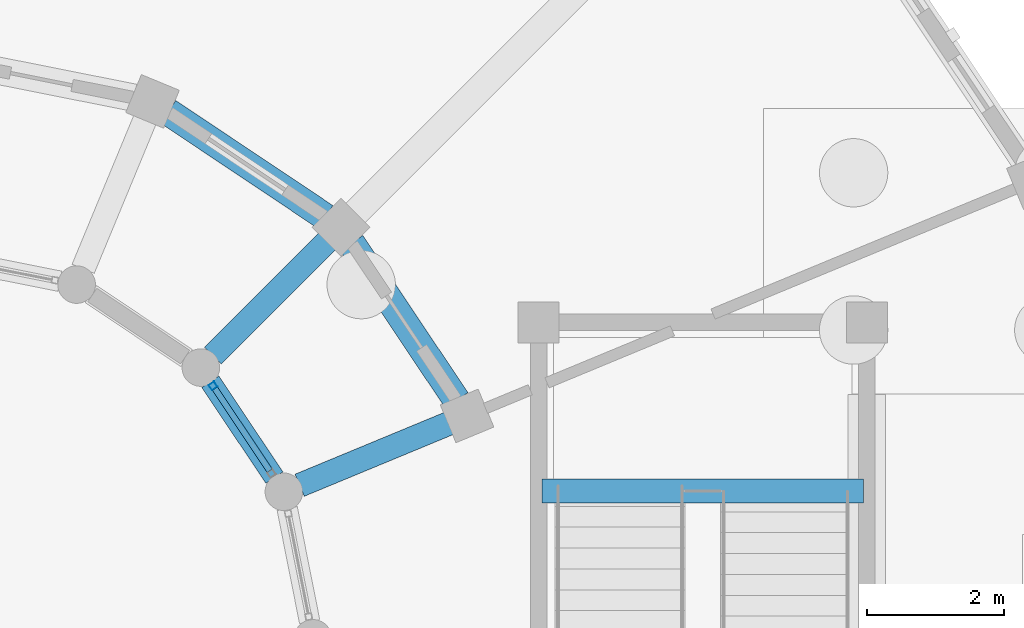
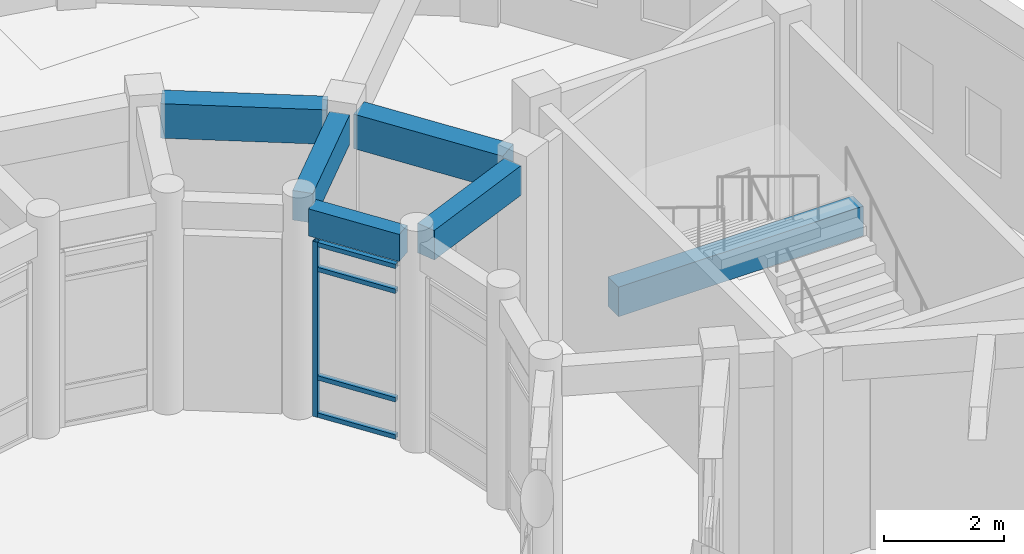
# One storey, part 75 of 153: 6 beams, 5 members, 1 element without a shape of its own.
"""IFC4 building model written with IfcOpenShell, lengths in metres."""

from ifc_helpers import new_model, si_unit, direction, frame, origin, origin_2d, place, context, subcontext, project, spatial, rectangle, hollow_rectangle, extrude, material, material_profile, profile_set, type_object, element, aggregate, save


model = new_model("IFC4")

# Units and contexts
model_context = context("Model", 3, precision=1e-05, world=origin(), true_north=direction((0.0, 1.0)))
body_context = subcontext(model_context, "Body", "Model", "MODEL_VIEW")
ifc_project = project(units=[si_unit("LENGTHUNIT", "METRE"), si_unit("AREAUNIT", "SQUARE_METRE"), si_unit("VOLUMEUNIT", "CUBIC_METRE"), si_unit("PLANEANGLEUNIT", "RADIAN"), si_unit("MASSUNIT", "GRAM", prefix="KILO")], contexts=[model_context])

# Site, building, storey
site_placement = place(None, origin())
site = spatial("IfcSite", under=ifc_project, at=site_placement, CompositionType="ELEMENT")
building_placement = place(site_placement, origin())
building = spatial("IfcBuilding", under=site, at=building_placement, Name="Celadon Cloister-Ring School", CompositionType="ELEMENT")
storey_placement = place(building_placement, origin())
storey = spatial("IfcBuildingStorey", under=building, at=storey_placement, Name="L00", CompositionType="ELEMENT", Elevation=0.0)

# Beams
ifc_material_1 = material(Name="Concrete C35/45", Category="concrete")
ifc_material_profile_1 = material_profile(ifc_material_1, rectangle(XDim=0.35009765625, YDim=0.60009765625, at=origin_2d()), Name="RC350X600")
ifc_profile_set_1 = profile_set([ifc_material_profile_1], Name="Concrete C35/45")
beam_type_1 = type_object("IfcBeamType", Name="BT-02", PredefinedType="BEAM", material=ifc_profile_set_1)
beam_1_placement = place(storey_placement, frame((27.799072265625, 100.14794921875, 3.9599609375), z_axis=(-0.923862714127, -0.382724033014, 0.0), x_axis=(0.382724033014, -0.923862714127, 0.0)))
element("IfcBeam", 1, at=beam_1_placement, inside=storey, type_object=beam_type_1, Name="Beam 0591", PredefinedType="BEAM", context=body_context, shape_type="SweptSolid", body=[
    extrude(rectangle(XDim=0.35009765625, YDim=0.60009765625, at=origin_2d()), origin(), (0.0, 0.0, 1.0), 2.375),
])
beam_2_placement = place(storey_placement, frame((26.01611328125, 102.81591796875, 3.9599609375), z_axis=(-0.707158186572, -0.707055372064, 0.0), x_axis=(0.707055372064, -0.707158186572, 0.0)))
element("IfcBeam", 2, at=beam_2_placement, inside=storey, type_object=beam_type_1, Name="Beam 0593", PredefinedType="BEAM", context=body_context, shape_type="SweptSolid", body=[
    extrude(rectangle(XDim=0.35009765625, YDim=0.60009765625, at=origin_2d()), origin(), (0.0, 0.0, 1.0), 2.37451171875),
])
beam_3_placement = place(storey_placement, frame((29.14990234375, 99.155029296875, 1.64990234375), z_axis=(1.0, 0.0, 0.0), x_axis=(0.0, 1.0, 0.0)))
element("IfcBeam", 3, at=beam_3_placement, inside=storey, type_object=beam_type_1, Name="Stair Landing Beam 1740", PredefinedType="BEAM", context=body_context, shape_type="SweptSolid", body=[
    extrude(rectangle(XDim=0.35009765625, YDim=0.60009765625, at=origin_2d()), origin(), (0.0, 0.0, 1.0), 4.7001953125),
])

# Curtain wall, members
ifc_material_2 = material(Name="Aluminium EN AW-6063 T6", Category="aluminium")
curtain_wall_type = type_object("IfcCurtainWallType", Name="CW-03", PredefinedType="USERDEFINED", material=ifc_material_2)
curtain_wall_placement = place(storey_placement, origin())
curtain_wall = element("IfcCurtainWall", 4, at=curtain_wall_placement, inside=storey, type_object=curtain_wall_type, Name="Curtain Wall 0080", ObjectType="CURTAIN WALL", PredefinedType="USERDEFINED")
ifc_material_3 = material(Name="Aluminium EN AW-6063 T6", Category="aluminium")
ifc_material_profile_2 = material_profile(ifc_material_3, hollow_rectangle(XDim=0.094970703125, YDim=0.094970703125, WallThickness=0.00390625, at=origin_2d()), Name="RHS95X95X4")
ifc_profile_set_2 = profile_set([ifc_material_profile_2], Name="Aluminium EN AW-6063 T6")
member_type_1 = type_object("IfcMemberType", Name="CM-02", PredefinedType="MULLION", material=ifc_profile_set_2)
member_1_placement = place(storey_placement, frame((24.33935546875, 100.69140625, 0.0), z_axis=(0.0, 0.0, 1.0), x_axis=(-0.831485091394, -0.555547066224, 0.0)))
member_1 = element("IfcMember", 5, at=member_1_placement, type_object=member_type_1, Name="CW-03 mullion 2", PredefinedType="MULLION", context=body_context, shape_type="SweptSolid", body=[
    extrude(hollow_rectangle(XDim=0.094970703125, YDim=0.094970703125, WallThickness=0.00390625, at=origin_2d()), origin(), (0.0, 0.0, 1.0), 3.550048828125),
])
ifc_material_4 = material(Name="Aluminium EN AW-6063 T6", Category="aluminium")
ifc_material_profile_3 = material_profile(ifc_material_4, hollow_rectangle(XDim=0.090087890625, YDim=0.090087890625, WallThickness=0.00390625, at=origin_2d()), Name="RHS90X90X4")
ifc_profile_set_3 = profile_set([ifc_material_profile_3], Name="Aluminium EN AW-6063 T6")
member_type_2 = type_object("IfcMemberType", Name="CTM-02", PredefinedType="USERDEFINED", material=ifc_profile_set_3)
member_2_placement = place(storey_placement, frame((25.168212890625, 99.450927734375, 0.044921875), z_axis=(-0.555518951009, 0.831503875559, 0.0), x_axis=(-0.831503875559, -0.555518951009, 0.0)))
member_2 = element("IfcMember", 6, at=member_2_placement, type_object=member_type_2, Name="CW-03 transom 1.1", ObjectType="TRANSOM", PredefinedType="USERDEFINED", context=body_context, shape_type="SweptSolid", body=[
    extrude(hollow_rectangle(XDim=0.090087890625, YDim=0.090087890625, WallThickness=0.00390625, at=origin_2d()), origin(), (0.0, 0.0, 1.0), 1.444580078125),
])
member_3_placement = place(storey_placement, frame((25.168212890625, 99.450927734375, 0.800048828125), z_axis=(-0.555518951009, 0.831503875559, 0.0), x_axis=(-0.831503875559, -0.555518951009, 0.0)))
member_3 = element("IfcMember", 7, at=member_3_placement, type_object=member_type_2, Name="CW-03 transom 1.2", ObjectType="TRANSOM", PredefinedType="USERDEFINED", context=body_context, shape_type="SweptSolid", body=[
    extrude(hollow_rectangle(XDim=0.090087890625, YDim=0.090087890625, WallThickness=0.00390625, at=origin_2d()), origin(), (0.0, 0.0, 1.0), 1.444580078125),
])
member_4_placement = place(storey_placement, frame((25.168212890625, 99.450927734375, 3.0), z_axis=(-0.555518951009, 0.831503875559, 0.0), x_axis=(-0.831503875559, -0.555518951009, 0.0)))
member_4 = element("IfcMember", 8, at=member_4_placement, type_object=member_type_2, Name="CW-03 transom 1.3", ObjectType="TRANSOM", PredefinedType="USERDEFINED", context=body_context, shape_type="SweptSolid", body=[
    extrude(hollow_rectangle(XDim=0.090087890625, YDim=0.090087890625, WallThickness=0.00390625, at=origin_2d()), origin(), (0.0, 0.0, 1.0), 1.444580078125),
])
member_5_placement = place(storey_placement, frame((25.168212890625, 99.450927734375, 3.5048828125), z_axis=(-0.555518951009, 0.831503875559, 0.0), x_axis=(-0.831503875559, -0.555518951009, 0.0)))
member_5 = element("IfcMember", 9, at=member_5_placement, type_object=member_type_2, Name="CW-03 transom 1.4", ObjectType="TRANSOM", PredefinedType="USERDEFINED", context=body_context, shape_type="SweptSolid", body=[
    extrude(hollow_rectangle(XDim=0.090087890625, YDim=0.090087890625, WallThickness=0.00390625, at=origin_2d()), origin(), (0.0, 0.0, 1.0), 1.444580078125),
])
aggregate(curtain_wall, [member_1, member_2, member_3, member_4, member_5])

# Beams
ifc_material_5 = material(Name="Concrete C35/45", Category="concrete")
ifc_material_profile_4 = material_profile(ifc_material_5, rectangle(XDim=0.39990234375, YDim=0.699951171875, at=origin_2d()), Name="RC400X700")
ifc_profile_set_4 = profile_set([ifc_material_profile_4], Name="Concrete C35/45")
beam_type_2 = type_object("IfcBeamType", Name="GT-03", PredefinedType="USERDEFINED", material=ifc_profile_set_4)
for number, where, z_axis, x_axis, name in (
    (10, (27.89990234375, 100.48193359375, 3.909912109375), (-0.555738781682, 0.831356966973, 0.0), (-0.831356966973, -0.555738781682, 0.0), "Beam 0616"),
    (11, (25.98095703125, 103.1630859375, 3.909912109375), (-0.831356966973, 0.555738781682, 0.0), (-0.555738781682, -0.831356966973, 0.0), "Beam 0619"),
):
    element("IfcBeam", number, at=place(storey_placement, frame(where, z_axis=z_axis, x_axis=x_axis)), inside=storey, type_object=beam_type_2, Name=name, ObjectType="GIRDER", PredefinedType="USERDEFINED", context=body_context, shape_type="SweptSolid", body=[
        extrude(rectangle(XDim=0.39990234375, YDim=0.699951171875, at=origin_2d()), origin(), (0.0, 0.0, 1.0), 2.765380859375),
    ])
ifc_material_6 = material(Name="Concrete C35/45", Category="concrete")
ifc_material_profile_5 = material_profile(ifc_material_6, rectangle(XDim=0.300048828125, YDim=0.550048828125, at=origin_2d()), Name="RC300X550")
ifc_profile_set_5 = profile_set([ifc_material_profile_5], Name="Concrete C35/45")
beam_type_3 = type_object("IfcBeamType", Name="SP-02", PredefinedType="SPANDREL", material=ifc_profile_set_5)
beam_4_placement = place(storey_placement, frame((25.235107421875, 99.35107421875, 3.985107421875), z_axis=(-0.555569328961, 0.831470216374, 0.0), x_axis=(-0.831470216374, -0.555569328961, 0.0)))
element("IfcBeam", 12, at=beam_4_placement, inside=storey, type_object=beam_type_3, Name="Beam 0617", PredefinedType="SPANDREL", context=body_context, shape_type="SweptSolid", body=[
    extrude(rectangle(XDim=0.300048828125, YDim=0.550048828125, at=origin_2d()), origin(), (0.0, 0.0, 1.0), 1.684814453125),
])

save(model, "model.ifc")
